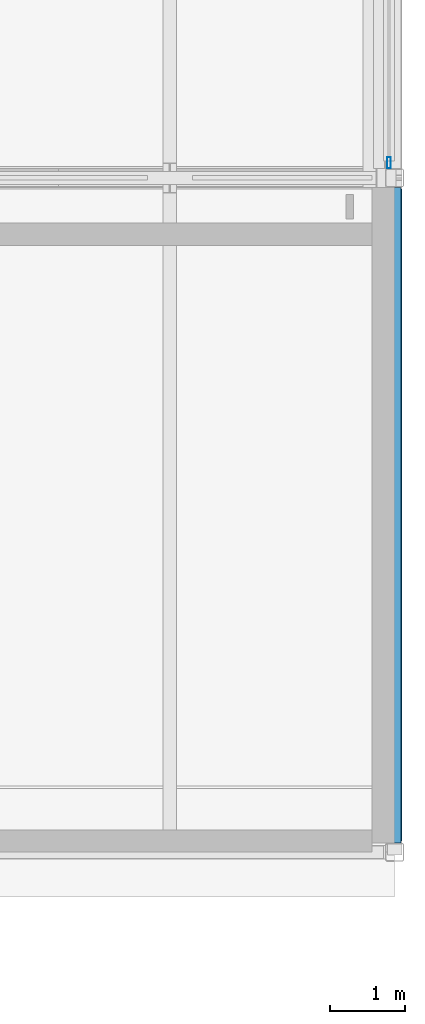
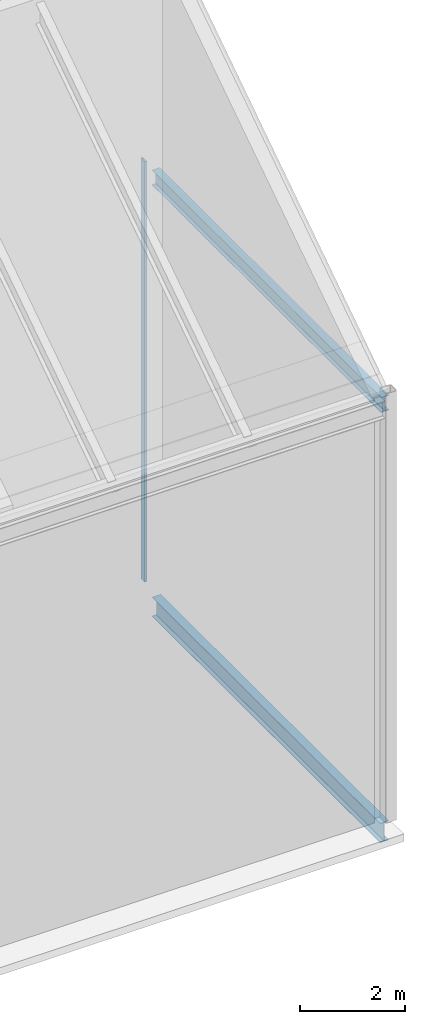
# One storey, part 69 of 111: 2 beams, 1 member, 1 element without a shape of its own.
"""IFC4 building model written with IfcOpenShell, lengths in metres."""

from ifc_helpers import new_model, si_unit, direction, frame, origin, origin_2d, place, context, subcontext, project, spatial, hollow_rectangle, i_section, extrude, material, layer, layer_set, material_profile, profile_set, type_object, element, aggregate, save


model = new_model("IFC4")

# Units and contexts
model_context = context("Model", 3, precision=1e-05, world=origin(), true_north=direction((0.0, 1.0)))
body_context = subcontext(model_context, "Body", "Model", "MODEL_VIEW")
ifc_project = project(units=[si_unit("LENGTHUNIT", "METRE"), si_unit("AREAUNIT", "SQUARE_METRE"), si_unit("VOLUMEUNIT", "CUBIC_METRE"), si_unit("PLANEANGLEUNIT", "RADIAN"), si_unit("MASSUNIT", "GRAM", prefix="KILO")], contexts=[model_context])

# Site, building, storey
site_placement = place(None, origin())
site = spatial("IfcSite", under=ifc_project, at=site_placement, CompositionType="ELEMENT")
building_placement = place(site_placement, origin())
building = spatial("IfcBuilding", under=site, at=building_placement, Name="Shorebreak Coast Museum", CompositionType="ELEMENT")
storey_placement = place(building_placement, frame((0.0, 0.0, 16.0)))
storey = spatial("IfcBuildingStorey", under=building, at=storey_placement, Name="L03", CompositionType="ELEMENT", Elevation=16.0)

# Beams
ifc_material_1 = material(Name="Steel Grade 300", Category="steel")
ifc_material_profile_1 = material_profile(ifc_material_1, i_section(OverallWidth=0.18994140625, OverallDepth=0.453857421875, WebThickness=0.008544921875, FlangeThickness=0.0126953125, FilletRadius=0.011474609375, at=origin_2d()), Name="460UB67.1")
ifc_profile_set_1 = profile_set([ifc_material_profile_1], Name="Steel Grade 300")
beam_type_1 = type_object("IfcBeamType", Name="Floor girder north-south 460UB67.1", PredefinedType="BEAM", material=ifc_profile_set_1)
beam_1_placement = place(storey_placement, frame((171.0, 54.14990234375, -0.40185546875), z_axis=(0.0, 1.0, 0.0), x_axis=(-1.0, 0.0, 0.0)))
element("IfcBeam", 1, at=beam_1_placement, inside=storey, type_object=beam_type_1, Name="Floor girder north-south L03 20G", PredefinedType="BEAM", context=body_context, shape_type="SweptSolid", body=[
    extrude(i_section(OverallWidth=0.18994140625, OverallDepth=0.453857421875, WebThickness=0.008544921875, FlangeThickness=0.0126953125, FilletRadius=0.011474609375, at=origin_2d()), origin(), (0.0, 0.0, 1.0), 8.7001953125),
])
ifc_material_2 = material(Name="Steel Grade 300", Category="steel")
ifc_material_profile_2 = material_profile(ifc_material_2, i_section(OverallWidth=0.1708984375, OverallDepth=0.35205078125, WebThickness=0.0068359375, FlangeThickness=0.009765625, FilletRadius=0.011474609375, at=origin_2d()), Name="360UB44.7")
ifc_profile_set_2 = profile_set([ifc_material_profile_2], Name="Steel Grade 300")
beam_type_2 = type_object("IfcBeamType", Name="Fold rib tie 360UB44.7", PredefinedType="BEAM", material=ifc_profile_set_2)
beam_2_placement = place(storey_placement, frame((171.0, 54.125, 9.58349609375), z_axis=(0.0, 1.0, 0.0), x_axis=(-1.0, 0.0, 0.0)))
element("IfcBeam", 2, at=beam_2_placement, inside=storey, type_object=beam_type_2, Name="Fold rib tie FOLD-E rib 20 G-H", PredefinedType="BEAM", context=body_context, shape_type="SweptSolid", body=[
    extrude(i_section(OverallWidth=0.1708984375, OverallDepth=0.35205078125, WebThickness=0.0068359375, FlangeThickness=0.009765625, FilletRadius=0.011474609375, at=origin_2d()), origin(), (0.0, 0.0, 1.0), 8.75),
])

# Curtain wall, member
ifc_material_3 = material(Name="Aluminium", Category="aluminium")
ifc_layer = layer(ifc_material_3, 0.14990234375)
ifc_layer_set = layer_set([ifc_layer], Name="Aluminium")
curtain_wall_type = type_object("IfcCurtainWallType", Name="Storefront curtain wall", PredefinedType="NOTDEFINED", material=ifc_layer_set)
curtain_wall_placement = place(storey_placement, origin())
curtain_wall = element("IfcCurtainWall", 3, at=curtain_wall_placement, inside=storey, type_object=curtain_wall_type, Name="Gallery end glazing L03 E 1", PredefinedType="NOTDEFINED")
ifc_material_4 = material(Name="Aluminium", Category="aluminium")
ifc_material_profile_3 = material_profile(ifc_material_4, hollow_rectangle(XDim=0.050048828125, YDim=0.14990234375, WallThickness=0.00390625, at=origin_2d()), Name="AL 150x50 RHS")
ifc_profile_set_3 = profile_set([ifc_material_profile_3], Name="Aluminium")
member_type = type_object("IfcMemberType", Name="Storefront mullion 50 x 150", PredefinedType="MULLION", material=ifc_profile_set_3)
member_placement = place(storey_placement, frame((170.925048828125, 63.201904296875, 0.0), z_axis=(0.0, 0.0, 1.0), x_axis=(-1.0, 0.0, 0.0)))
member = element("IfcMember", 4, at=member_placement, type_object=member_type, Name="CW9 mullion 1", PredefinedType="MULLION", context=body_context, shape_type="SweptSolid", body=[
    extrude(hollow_rectangle(XDim=0.050048828125, YDim=0.14990234375, WallThickness=0.00390625, at=origin_2d()), origin(), (0.0, 0.0, 1.0), 9.800048828125),
])
aggregate(curtain_wall, [member])

save(model, "model.ifc")
